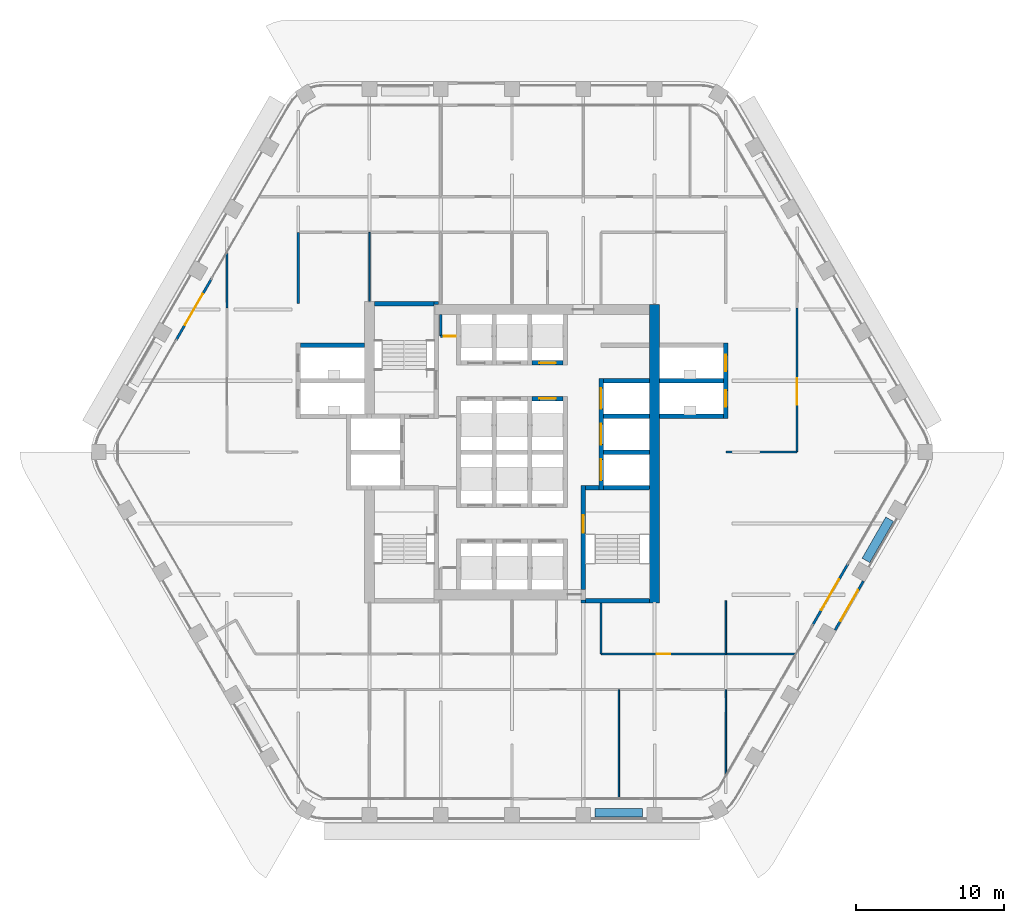
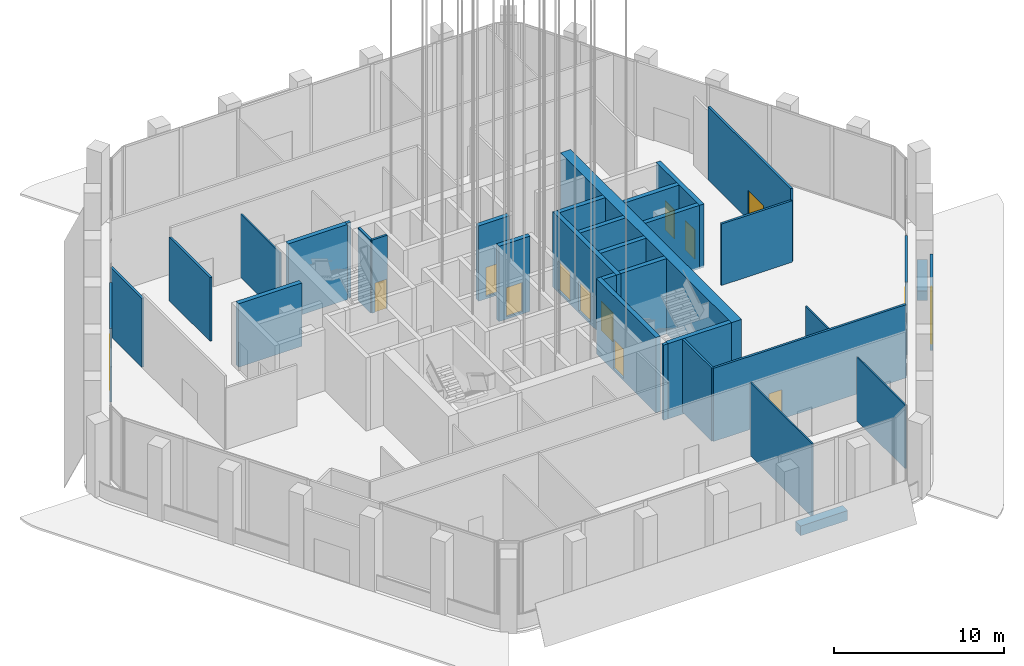
# One storey, part 10 of 42: 35 walls, 14 doors, 14 openings.
"""IFC4 building model written with IfcOpenShell, lengths in metres."""

from ifc_helpers import new_model, si_unit, direction, frame, frame_2d, origin, place, context, subcontext, project, spatial, rectangle, extrude, material, layer, layer_set, type_object, element, fill, save


model = new_model("IFC4")

# Units and contexts
model_context = context("Model", 3, precision=1e-05, world=origin(), true_north=direction((0.0, 1.0)))
body_context = subcontext(model_context, "Body", "Model", "MODEL_VIEW")
ifc_project = project(units=[si_unit("LENGTHUNIT", "METRE"), si_unit("AREAUNIT", "SQUARE_METRE"), si_unit("VOLUMEUNIT", "CUBIC_METRE"), si_unit("PLANEANGLEUNIT", "RADIAN"), si_unit("MASSUNIT", "GRAM", prefix="KILO")], contexts=[model_context])

# Site, building, storey
site_placement = place(None, origin())
site = spatial("IfcSite", under=ifc_project, at=site_placement, CompositionType="ELEMENT")
building_placement = place(site_placement, origin())
building = spatial("IfcBuilding", under=site, at=building_placement, Name="Kolab Exchange Tower", CompositionType="ELEMENT")
storey_placement = place(building_placement, frame((0.0, 0.0, 133.39990234375)))
storey = spatial("IfcBuildingStorey", under=building, at=storey_placement, Name="L26", CompositionType="ELEMENT", Elevation=133.39990234375)

# Wall
ifc_material_1 = material(Name="Concrete C60/75", Category="concrete")
ifc_layer_1 = layer(ifc_material_1, 0.699951171875)
ifc_layer_set_1 = layer_set([ifc_layer_1], Name="Concrete C60/75")
wall_type_1 = type_object("IfcWallType", Name="CORE WALL 700 C60/75", PredefinedType="SHEAR", material=ifc_layer_set_1)
wall_1_placement = place(storey_placement, frame((9.60009765625, -10.14990234375, -0.14990234375), z_axis=(0.0, 0.0, 1.0), x_axis=(0.0, 1.0, 0.0)))
element("IfcWall", 1, at=wall_1_placement, inside=storey, type_object=wall_type_1, Name="wall/L26/core/065", PredefinedType="SHEAR", context=body_context, shape_type="SweptSolid", body=[
    extrude(rectangle(XDim=20.099853515625, YDim=0.699951171875, at=frame_2d((10.0498046875, 0.0))), origin(), (0.0, 0.0, 1.0), 5.39990234375),
])

# Wall, opening, door
ifc_material_2 = material(Name="Aluminium EN AW-6063 T6", Category="aluminium")
ifc_layer_2 = layer(ifc_material_2, 0.159912109375)
ifc_layer_set_2 = layer_set([ifc_layer_2], Name="Aluminium EN AW-6063 T6")
wall_type_2 = type_object("IfcWallType", Name="DOOR SURROUND WALL 160 ALUMINIUM FRAMED", PredefinedType="PARTITIONING", material=ifc_layer_set_2)
wall_2_placement = place(storey_placement, frame((22.61669921875, -7.5498046875, 0.0), z_axis=(0.0, 0.0, 1.0), x_axis=(-0.5000167099, -0.866015756104, 0.0)))
wall_2 = element("IfcWall", 2, at=wall_2_placement, inside=storey, type_object=wall_type_2, Name="Door surround wall", PredefinedType="PARTITIONING", context=body_context, shape_type="SweptSolid", body=[
    extrude(rectangle(XDim=4.739990234375, YDim=0.159912109375, at=frame_2d((2.3701171875, 0.0))), origin(), (0.0, 0.0, 1.0), 5.25),
])
opening_1_placement = place(wall_2_placement, frame((1.169921875, 0.0, 0.0)))
opening_1 = element("IfcOpeningElement", 3, at=opening_1_placement, cuts=wall_2, Name="Opening GD1-057", PredefinedType="OPENING", context=body_context, shape_type="SweptSolid", body=[
    extrude(rectangle(XDim=2.39990234375, YDim=2.39990234375, at=frame_2d((1.199951171875, 1.199951171875))), frame((0.0, 0.08984375, 0.0), z_axis=(0.0, -1.0, 0.0), x_axis=(1.0, 0.0, 0.0)), (0.0, 0.0, 1.0), 0.179931640625),
])
door_type_1 = type_object("IfcDoorType", Name="LOGGIA SLIDING GLASS DOOR 2400 X 2400", OperationType="DOUBLE_DOOR_SINGLE_SWING", PredefinedType="DOOR", material=ifc_material_2)
door_1_placement = place(opening_1_placement, origin())
door_1 = element("IfcDoor", 4, at=door_1_placement, inside=storey, type_object=door_type_1, Name="Loggia door", OperationType="DOUBLE_DOOR_SLIDING", OverallHeight=2.39990234375, OverallWidth=2.39990234375, PredefinedType="DOOR", context=body_context, shape_type="SweptSolid", body=[
    extrude(rectangle(XDim=2.39990234375, YDim=2.39990234375, at=frame_2d((1.199951171875, 1.199951171875))), frame((0.0, 0.02490234375, 0.0), z_axis=(0.0, -1.0, 0.0), x_axis=(1.0, 0.0, 0.0)), (0.0, 0.0, 1.0), 0.050048828125),
])
fill(opening_1, door_1)

wall_3_placement = place(storey_placement, frame((-22.61669921875, 7.5498046875, 0.0), z_axis=(0.0, 0.0, 1.0), x_axis=(0.5000167099, 0.866015756104, 0.0)))
wall_3 = element("IfcWall", 5, at=wall_3_placement, inside=storey, type_object=wall_type_2, Name="Door surround wall", PredefinedType="PARTITIONING", context=body_context, shape_type="SweptSolid", body=[
    extrude(rectangle(XDim=4.739990234375, YDim=0.159912109375, at=frame_2d((2.3701171875, 0.0))), origin(), (0.0, 0.0, 1.0), 5.25),
])
opening_2_placement = place(wall_3_placement, frame((1.169921875, 0.0, 0.0)))
opening_2 = element("IfcOpeningElement", 6, at=opening_2_placement, cuts=wall_3, Name="Opening GD1-060", PredefinedType="OPENING", context=body_context, shape_type="SweptSolid", body=[
    extrude(rectangle(XDim=2.39990234375, YDim=2.39990234375, at=frame_2d((1.199951171875, 1.199951171875))), frame((0.0, 0.08984375, 0.0), z_axis=(0.0, -1.0, 0.0), x_axis=(1.0, 0.0, 0.0)), (0.0, 0.0, 1.0), 0.179931640625),
])
door_2_placement = place(opening_2_placement, origin())
door_2 = element("IfcDoor", 7, at=door_2_placement, inside=storey, type_object=door_type_1, Name="Loggia door", OperationType="DOUBLE_DOOR_SLIDING", OverallHeight=2.39990234375, OverallWidth=2.39990234375, PredefinedType="DOOR", context=body_context, shape_type="SweptSolid", body=[
    extrude(rectangle(XDim=2.39990234375, YDim=2.39990234375, at=frame_2d((1.199951171875, 1.199951171875))), frame((0.0, 0.02490234375, 0.0), z_axis=(0.0, -1.0, 0.0), x_axis=(1.0, 0.0, 0.0)), (0.0, 0.0, 1.0), 0.050048828125),
])
fill(opening_2, door_2)

wall_4_placement = place(storey_placement, frame((23.662353515625, -8.698486328125, 0.0), z_axis=(0.0, 0.0, 1.0), x_axis=(-0.499971120268, -0.866042076863, 0.0)))
wall_4 = element("IfcWall", 8, at=wall_4_placement, inside=storey, type_object=wall_type_2, Name="Door surround wall", PredefinedType="PARTITIONING", context=body_context, shape_type="SweptSolid", body=[
    extrude(rectangle(XDim=3.796142578125, YDim=0.159912109375, at=frame_2d((1.89794921875, 0.0))), origin(), (0.0, 0.0, 1.0), 4.25),
])
opening_3_placement = place(wall_4_placement, frame((0.697998046875, 0.0, 0.0)))
opening_3 = element("IfcOpeningElement", 9, at=opening_3_placement, cuts=wall_4, Name="Opening GD1-062", PredefinedType="OPENING", context=body_context, shape_type="SweptSolid", body=[
    extrude(rectangle(XDim=2.39990234375, YDim=2.39990234375, at=frame_2d((1.199951171875, 1.199951171875))), frame((0.0, 0.08984375, 0.0), z_axis=(0.0, -1.0, 0.0), x_axis=(1.0, 0.0, 0.0)), (0.0, 0.0, 1.0), 0.179931640625),
])
door_3_placement = place(opening_3_placement, origin())
door_3 = element("IfcDoor", 10, at=door_3_placement, inside=storey, type_object=door_type_1, Name="Terrace door", OperationType="DOUBLE_DOOR_SLIDING", OverallHeight=2.39990234375, OverallWidth=2.39990234375, PredefinedType="DOOR", context=body_context, shape_type="SweptSolid", body=[
    extrude(rectangle(XDim=2.39990234375, YDim=2.39990234375, at=frame_2d((1.199951171875, 1.199951171875))), frame((0.0, 0.02490234375, 0.0), z_axis=(0.0, -1.0, 0.0), x_axis=(1.0, 0.0, 0.0)), (0.0, 0.0, 1.0), 0.050048828125),
])
fill(opening_3, door_3)

# Walls
ifc_material_3 = material(Name="Concrete C50/60", Category="concrete")
ifc_layer_3 = layer(ifc_material_3, 0.300048828125)
ifc_layer_set_3 = layer_set([ifc_layer_3], Name="Concrete C50/60")
wall_type_3 = type_object("IfcWallType", Name="LIFT SHAFT WALL 300 C50/60", PredefinedType="STANDARD", material=ifc_layer_set_3)
for number, where, z_axis, x_axis, name in (
    (11, (6.14990234375, 0.0, -0.14990234375), (0.0, 0.0, 1.0), (1.0, 0.0, 0.0), "wall/L26/core/018"),
    (12, (6.14990234375, 2.39990234375, -0.14990234375), (0.0, 0.0, 1.0), (1.0, 0.0, 0.0), "wall/L26/core/023"),
):
    element("IfcWall", number, at=place(storey_placement, frame(where, z_axis=z_axis, x_axis=x_axis)), inside=storey, type_object=wall_type_3, Name=name, PredefinedType="STANDARD", context=body_context, shape_type="SweptSolid", body=[
        extrude(rectangle(XDim=3.10009765625, YDim=0.300048828125, at=frame_2d((1.550048828125, 0.0))), origin(), (0.0, 0.0, 1.0), 5.39990234375),
    ])
wall_5_placement = place(storey_placement, frame((9.949951171875, 2.39990234375, -0.14990234375), z_axis=(0.0, 0.0, 1.0), x_axis=(1.0, 0.0, 0.0)))
element("IfcWall", 13, at=wall_5_placement, inside=storey, type_object=wall_type_3, Name="wall/L26/core/024", PredefinedType="STANDARD", context=body_context, shape_type="SweptSolid", body=[
    extrude(rectangle(XDim=4.300048828125, YDim=0.300048828125, at=frame_2d((2.14990234375, 0.0))), origin(), (0.0, 0.0, 1.0), 4.550048828125),
])

# Wall, opening, door
wall_6_placement = place(storey_placement, frame((1.35009765625, 3.60009765625, -0.14990234375), z_axis=(0.0, 0.0, 1.0), x_axis=(1.0, 0.0, 0.0)))
wall_6 = element("IfcWall", 14, at=wall_6_placement, inside=storey, type_object=wall_type_3, Name="wall/L26/core/027", PredefinedType="STANDARD", context=body_context, shape_type="SweptSolid", body=[
    extrude(rectangle(XDim=2.099853515625, YDim=0.300048828125, at=frame_2d((1.0498046875, 0.0))), origin(), (0.0, 0.0, 1.0), 5.39990234375),
])
opening_4_placement = place(wall_6_placement, frame((0.5, 0.0, 0.14990234375)))
opening_4 = element("IfcOpeningElement", 15, at=opening_4_placement, cuts=wall_6, Name="Opening LD1-101", PredefinedType="OPENING", context=body_context, shape_type="SweptSolid", body=[
    extrude(rectangle(XDim=1.10009765625, YDim=2.10009765625, at=frame_2d((0.550048828125, 1.050048828125))), frame((0.0, 0.16015625, 0.0), z_axis=(0.0, -1.0, 0.0), x_axis=(1.0, 0.0, 0.0)), (0.0, 0.0, 1.0), 0.320068359375),
])
ifc_material_4 = material(Name="Stainless steel 316", Category="steel")
door_type_2 = type_object("IfcDoorType", Name="LANDING DOOR 1100 PASSENGER", OperationType="DOUBLE_DOOR_SLIDING", PredefinedType="DOOR", material=ifc_material_4)
door_4_placement = place(opening_4_placement, origin())
door_4 = element("IfcDoor", 16, at=door_4_placement, inside=storey, type_object=door_type_2, Name="Landing door HR6", OperationType="DOUBLE_DOOR_SLIDING", OverallHeight=2.10009765625, OverallWidth=1.10009765625, PredefinedType="DOOR", context=body_context, shape_type="SweptSolid", body=[
    extrude(rectangle(XDim=1.10009765625, YDim=2.10009765625, at=frame_2d((0.550048828125, 1.050048828125))), frame((0.0, 0.02490234375, 0.0), z_axis=(0.0, -1.0, 0.0), x_axis=(1.0, 0.0, 0.0)), (0.0, 0.0, 1.0), 0.050048828125),
])
fill(opening_4, door_4)

# Walls
wall_7_placement = place(storey_placement, frame((6.14990234375, 4.800048828125, -0.14990234375), z_axis=(0.0, 0.0, 1.0), x_axis=(1.0, 0.0, 0.0)))
element("IfcWall", 17, at=wall_7_placement, inside=storey, type_object=wall_type_3, Name="wall/L26/core/029", PredefinedType="STANDARD", context=body_context, shape_type="SweptSolid", body=[
    extrude(rectangle(XDim=3.10009765625, YDim=0.300048828125, at=frame_2d((1.550048828125, 0.0))), origin(), (0.0, 0.0, 1.0), 5.39990234375),
])
wall_8_placement = place(storey_placement, frame((9.949951171875, 4.800048828125, -0.14990234375), z_axis=(0.0, 0.0, 1.0), x_axis=(1.0, 0.0, 0.0)))
element("IfcWall", 18, at=wall_8_placement, inside=storey, type_object=wall_type_3, Name="wall/L26/core/030", PredefinedType="STANDARD", context=body_context, shape_type="SweptSolid", body=[
    extrude(rectangle(XDim=4.300048828125, YDim=0.300048828125, at=frame_2d((2.14990234375, 0.0))), origin(), (0.0, 0.0, 1.0), 4.550048828125),
])

# Wall, opening, door
wall_9_placement = place(storey_placement, frame((1.35009765625, 6.0, -0.14990234375), z_axis=(0.0, 0.0, 1.0), x_axis=(1.0, 0.0, 0.0)))
wall_9 = element("IfcWall", 19, at=wall_9_placement, inside=storey, type_object=wall_type_3, Name="wall/L26/core/033", PredefinedType="STANDARD", context=body_context, shape_type="SweptSolid", body=[
    extrude(rectangle(XDim=2.099853515625, YDim=0.300048828125, at=frame_2d((1.0498046875, 0.0))), origin(), (0.0, 0.0, 1.0), 5.39990234375),
])
opening_5_placement = place(wall_9_placement, frame((0.5, 0.0, 0.14990234375)))
opening_5 = element("IfcOpeningElement", 20, at=opening_5_placement, cuts=wall_9, Name="Opening LD1-098", PredefinedType="OPENING", context=body_context, shape_type="SweptSolid", body=[
    extrude(rectangle(XDim=1.10009765625, YDim=2.10009765625, at=frame_2d((0.550048828125, 1.050048828125))), frame((0.0, 0.16015625, 0.0), z_axis=(0.0, -1.0, 0.0), x_axis=(1.0, 0.0, 0.0)), (0.0, 0.0, 1.0), 0.320068359375),
])
door_5_placement = place(opening_5_placement, origin())
door_5 = element("IfcDoor", 21, at=door_5_placement, inside=storey, type_object=door_type_2, Name="Landing door HR3", OperationType="DOUBLE_DOOR_SLIDING", OverallHeight=2.10009765625, OverallWidth=1.10009765625, PredefinedType="DOOR", context=body_context, shape_type="SweptSolid", body=[
    extrude(rectangle(XDim=1.10009765625, YDim=2.10009765625, at=frame_2d((0.550048828125, 1.050048828125))), frame((0.0, 0.02490234375, 0.0), z_axis=(0.0, -1.0, 0.0), x_axis=(1.0, 0.0, 0.0)), (0.0, 0.0, 1.0), 0.050048828125),
])
fill(opening_5, door_5)

# Wall
wall_10_placement = place(storey_placement, frame((-14.25, 7.199951171875, -0.14990234375), z_axis=(0.0, 0.0, 1.0), x_axis=(1.0, 0.0, 0.0)))
element("IfcWall", 22, at=wall_10_placement, inside=storey, type_object=wall_type_3, Name="wall/L26/core/034", PredefinedType="STANDARD", context=body_context, shape_type="SweptSolid", body=[
    extrude(rectangle(XDim=4.300048828125, YDim=0.300048828125, at=frame_2d((2.14990234375, 0.0))), origin(), (0.0, 0.0, 1.0), 4.550048828125),
])

# Wall, openings, doors
wall_11_placement = place(storey_placement, frame((6.0, -2.550048828125, -0.14990234375), z_axis=(0.0, 0.0, 1.0), x_axis=(0.0, 1.0, 0.0)))
wall_11 = element("IfcWall", 23, at=wall_11_placement, inside=storey, type_object=wall_type_3, Name="wall/L26/core/064", PredefinedType="STANDARD", context=body_context, shape_type="SweptSolid", body=[
    extrude(rectangle(XDim=7.5, YDim=0.300048828125, at=frame_2d((3.75, 0.0))), origin(), (0.0, 0.0, 1.0), 5.39990234375),
])
opening_6_placement = place(wall_11_placement, frame((0.64990234375, 0.0, 0.14990234375)))
opening_6 = element("IfcOpeningElement", 24, at=opening_6_placement, cuts=wall_11, Name="Opening LD3-034", PredefinedType="OPENING", context=body_context, shape_type="SweptSolid", body=[
    extrude(rectangle(XDim=1.39990234375, YDim=2.10009765625, at=frame_2d((0.699951171875, 1.050048828125))), frame((0.0, 0.16015625, 0.0), z_axis=(0.0, -1.0, 0.0), x_axis=(1.0, 0.0, 0.0)), (0.0, 0.0, 1.0), 0.320068359375),
])
opening_7_placement = place(wall_11_placement, frame((3.050048828125, 0.0, 0.14990234375)))
opening_7 = element("IfcOpeningElement", 25, at=opening_7_placement, cuts=wall_11, Name="Opening LD3-035", PredefinedType="OPENING", context=body_context, shape_type="SweptSolid", body=[
    extrude(rectangle(XDim=1.39990234375, YDim=2.10009765625, at=frame_2d((0.699951171875, 1.050048828125))), frame((0.0, 0.16015625, 0.0), z_axis=(0.0, -1.0, 0.0), x_axis=(1.0, 0.0, 0.0)), (0.0, 0.0, 1.0), 0.320068359375),
])
opening_8_placement = place(wall_11_placement, frame((5.449951171875, 0.0, 0.14990234375)))
opening_8 = element("IfcOpeningElement", 26, at=opening_8_placement, cuts=wall_11, Name="Opening LD3-036", PredefinedType="OPENING", context=body_context, shape_type="SweptSolid", body=[
    extrude(rectangle(XDim=1.39990234375, YDim=2.10009765625, at=frame_2d((0.699951171875, 1.050048828125))), frame((0.0, 0.16015625, 0.0), z_axis=(0.0, -1.0, 0.0), x_axis=(1.0, 0.0, 0.0)), (0.0, 0.0, 1.0), 0.320068359375),
])
door_type_3 = type_object("IfcDoorType", Name="LANDING DOOR 1400 SERVICE", OperationType="DOUBLE_DOOR_SLIDING", PredefinedType="DOOR", material=ifc_material_4)
door_6_placement = place(opening_6_placement, origin())
door_6 = element("IfcDoor", 27, at=door_6_placement, inside=storey, type_object=door_type_3, Name="Landing door SV1", OperationType="DOUBLE_DOOR_SLIDING", OverallHeight=2.10009765625, OverallWidth=1.39990234375, PredefinedType="DOOR", context=body_context, shape_type="SweptSolid", body=[
    extrude(rectangle(XDim=1.39990234375, YDim=2.10009765625, at=frame_2d((0.699951171875, 1.050048828125))), frame((0.0, 0.02490234375, 0.0), z_axis=(0.0, -1.0, 0.0), x_axis=(1.0, 0.0, 0.0)), (0.0, 0.0, 1.0), 0.050048828125),
])
fill(opening_6, door_6)
door_7_placement = place(opening_7_placement, origin())
door_7 = element("IfcDoor", 28, at=door_7_placement, inside=storey, type_object=door_type_3, Name="Landing door SV2", OperationType="DOUBLE_DOOR_SLIDING", OverallHeight=2.10009765625, OverallWidth=1.39990234375, PredefinedType="DOOR", context=body_context, shape_type="SweptSolid", body=[
    extrude(rectangle(XDim=1.39990234375, YDim=2.10009765625, at=frame_2d((0.699951171875, 1.050048828125))), frame((0.0, 0.02490234375, 0.0), z_axis=(0.0, -1.0, 0.0), x_axis=(1.0, 0.0, 0.0)), (0.0, 0.0, 1.0), 0.050048828125),
])
fill(opening_7, door_7)
door_8_placement = place(opening_8_placement, origin())
door_8 = element("IfcDoor", 29, at=door_8_placement, inside=storey, type_object=door_type_3, Name="Landing door SV3", OperationType="DOUBLE_DOOR_SLIDING", OverallHeight=2.10009765625, OverallWidth=1.39990234375, PredefinedType="DOOR", context=body_context, shape_type="SweptSolid", body=[
    extrude(rectangle(XDim=1.39990234375, YDim=2.10009765625, at=frame_2d((0.699951171875, 1.050048828125))), frame((0.0, 0.02490234375, 0.0), z_axis=(0.0, -1.0, 0.0), x_axis=(1.0, 0.0, 0.0)), (0.0, 0.0, 1.0), 0.050048828125),
])
fill(opening_8, door_8)

wall_12_placement = place(storey_placement, frame((14.39990234375, 2.25, -0.14990234375), z_axis=(0.0, 0.0, 1.0), x_axis=(0.0, 1.0, 0.0)))
wall_12 = element("IfcWall", 30, at=wall_12_placement, inside=storey, type_object=wall_type_3, Name="wall/L26/core/066", PredefinedType="STANDARD", context=body_context, shape_type="SweptSolid", body=[
    extrude(rectangle(XDim=5.10009765625, YDim=0.300048828125, at=frame_2d((2.550048828125, 0.0))), origin(), (0.0, 0.0, 1.0), 4.550048828125),
])
opening_9_placement = place(wall_12_placement, frame((0.800048828125, 0.0, 0.14990234375)))
opening_9 = element("IfcOpeningElement", 31, at=opening_9_placement, cuts=wall_12, Name="Opening LD1-105", PredefinedType="OPENING", context=body_context, shape_type="SweptSolid", body=[
    extrude(rectangle(XDim=1.10009765625, YDim=2.10009765625, at=frame_2d((0.550048828125, 1.050048828125))), frame((0.0, 0.16015625, 0.0), z_axis=(0.0, -1.0, 0.0), x_axis=(1.0, 0.0, 0.0)), (0.0, 0.0, 1.0), 0.320068359375),
])
opening_10_placement = place(wall_12_placement, frame((3.199951171875, 0.0, 0.14990234375)))
opening_10 = element("IfcOpeningElement", 32, at=opening_10_placement, cuts=wall_12, Name="Opening LD1-106", PredefinedType="OPENING", context=body_context, shape_type="SweptSolid", body=[
    extrude(rectangle(XDim=1.10009765625, YDim=2.10009765625, at=frame_2d((0.550048828125, 1.050048828125))), frame((0.0, 0.16015625, 0.0), z_axis=(0.0, -1.0, 0.0), x_axis=(1.0, 0.0, 0.0)), (0.0, 0.0, 1.0), 0.320068359375),
])
door_9_placement = place(opening_9_placement, origin())
door_9 = element("IfcDoor", 33, at=door_9_placement, inside=storey, type_object=door_type_2, Name="Landing door SH1", OperationType="DOUBLE_DOOR_SLIDING", OverallHeight=2.10009765625, OverallWidth=1.10009765625, PredefinedType="DOOR", context=body_context, shape_type="SweptSolid", body=[
    extrude(rectangle(XDim=1.10009765625, YDim=2.10009765625, at=frame_2d((0.550048828125, 1.050048828125))), frame((0.0, 0.02490234375, 0.0), z_axis=(0.0, -1.0, 0.0), x_axis=(1.0, 0.0, 0.0)), (0.0, 0.0, 1.0), 0.050048828125),
])
fill(opening_9, door_9)
door_10_placement = place(opening_10_placement, origin())
door_10 = element("IfcDoor", 34, at=door_10_placement, inside=storey, type_object=door_type_2, Name="Landing door SH2", OperationType="DOUBLE_DOOR_SLIDING", OverallHeight=2.10009765625, OverallWidth=1.10009765625, PredefinedType="DOOR", context=body_context, shape_type="SweptSolid", body=[
    extrude(rectangle(XDim=1.10009765625, YDim=2.10009765625, at=frame_2d((0.550048828125, 1.050048828125))), frame((0.0, 0.02490234375, 0.0), z_axis=(0.0, -1.0, 0.0), x_axis=(1.0, 0.0, 0.0)), (0.0, 0.0, 1.0), 0.050048828125),
])
fill(opening_10, door_10)

# Walls
ifc_material_5 = material(Name="Gypsum board", Category="gypsum")
ifc_layer_4 = layer(ifc_material_5, 0.10009765625)
ifc_layer_set_4 = layer_set([ifc_layer_4], Name="Gypsum board")
wall_type_4 = type_object("IfcWallType", Name="PARTITION 100", PredefinedType="PARTITIONING", material=ifc_layer_set_4)
wall_13_placement = place(storey_placement, frame((14.39990234375, -21.701416015625, 0.0), z_axis=(0.0, 0.0, 1.0), x_axis=(0.0, 1.0, 0.0)))
element("IfcWall", 35, at=wall_13_placement, inside=storey, type_object=wall_type_4, Name="Partition 001", PredefinedType="PARTITIONING", context=body_context, shape_type="SweptSolid", body=[
    extrude(rectangle(XDim=5.701416015625, YDim=0.10009765625, at=frame_2d((2.8505859375, 0.0))), origin(), (0.0, 0.0, 1.0), 4.566162109375),
])
wall_14_placement = place(storey_placement, frame((14.39990234375, -13.60009765625, 0.0), z_axis=(0.0, 0.0, 1.0), x_axis=(0.0, 1.0, 0.0)))
element("IfcWall", 36, at=wall_14_placement, inside=storey, type_object=wall_type_4, Name="Partition 002", PredefinedType="PARTITIONING", context=body_context, shape_type="SweptSolid", body=[
    extrude(rectangle(XDim=3.60009765625, YDim=0.10009765625, at=frame_2d((1.800048828125, 0.0))), origin(), (0.0, 0.0, 1.0), 4.566162109375),
])
wall_15_placement = place(storey_placement, frame((7.199951171875, -23.271484375, 0.0), z_axis=(0.0, 0.0, 1.0), x_axis=(0.0, 1.0, 0.0)))
element("IfcWall", 37, at=wall_15_placement, inside=storey, type_object=wall_type_4, Name="Partition 005", PredefinedType="PARTITIONING", context=body_context, shape_type="SweptSolid", body=[
    extrude(rectangle(XDim=7.271484375, YDim=0.10009765625, at=frame_2d((3.6357421875, 0.0))), origin(), (0.0, 0.0, 1.0), 5.25),
])
wall_16_placement = place(storey_placement, frame((-9.60009765625, 10.14990234375, 0.0), z_axis=(0.0, 0.0, 1.0), x_axis=(0.0, 1.0, 0.0)))
element("IfcWall", 38, at=wall_16_placement, inside=storey, type_object=wall_type_4, Name="Partition 021", PredefinedType="PARTITIONING", context=body_context, shape_type="SweptSolid", body=[
    extrude(rectangle(XDim=4.650146484375, YDim=0.10009765625, at=frame_2d((2.3251953125, 0.0))), origin(), (0.0, 0.0, 1.0), 4.566162109375),
])

# Wall, opening, door
ifc_layer_5 = layer(ifc_material_5, 0.14990234375)
ifc_layer_set_5 = layer_set([ifc_layer_5], Name="Gypsum board")
wall_type_5 = type_object("IfcWallType", Name="PARTITION 150 FIRE-RATED", PredefinedType="PARTITIONING", material=ifc_layer_set_5)
wall_17_placement = place(storey_placement, frame((19.199951171875, 0.0, 0.0), z_axis=(0.0, 0.0, 1.0), x_axis=(0.0, 1.0, 0.0)))
wall_17 = element("IfcWall", 39, at=wall_17_placement, inside=storey, type_object=wall_type_5, Name="Partition 000", PredefinedType="PARTITIONING", context=body_context, shape_type="SweptSolid", body=[
    extrude(rectangle(XDim=9.693603515625, YDim=0.14990234375, at=frame_2d((4.8466796875, 0.0))), origin(), (0.0, 0.0, 1.0), 5.25),
])
opening_11_placement = place(wall_17_placement, frame((3.181884765625, 0.0, 0.0)))
opening_11 = element("IfcOpeningElement", 40, at=opening_11_placement, cuts=wall_17, Name="Opening D2-037", PredefinedType="OPENING", context=body_context, shape_type="SweptSolid", body=[
    extrude(rectangle(XDim=1.800048828125, YDim=2.10009765625, at=frame_2d((0.89990234375, 1.050048828125))), frame((0.0, 0.0849609375, 0.0), z_axis=(0.0, -1.0, 0.0), x_axis=(1.0, 0.0, 0.0)), (0.0, 0.0, 1.0), 0.169921875),
])
ifc_material_6 = material(Name="Steel S235", Category="steel")
door_type_4 = type_object("IfcDoorType", Name="DOUBLE DOOR 1800 FD60", OperationType="DOUBLE_DOOR_SINGLE_SWING", PredefinedType="DOOR", material=ifc_material_6)
door_11_placement = place(opening_11_placement, frame((1.800048828125, 0.0, 0.0), z_axis=(0.0, 0.0, 1.0), x_axis=(-1.0, 0.0, 0.0)))
door_11 = element("IfcDoor", 41, at=door_11_placement, inside=storey, type_object=door_type_4, Name="Door L26-056", OperationType="SINGLE_SWING_RIGHT", OverallHeight=2.10009765625, OverallWidth=1.800048828125, PredefinedType="DOOR", context=body_context, shape_type="SweptSolid", body=[
    extrude(rectangle(XDim=1.800048828125, YDim=2.10009765625, at=frame_2d((0.89990234375, 1.050048828125))), frame((0.0, 0.02490234375, 0.0), z_axis=(0.0, -1.0, 0.0), x_axis=(1.0, 0.0, 0.0)), (0.0, 0.0, 1.0), 0.050048828125),
])
fill(opening_11, door_11)

# Walls
wall_18_placement = place(storey_placement, frame((6.0, -13.60009765625, 0.0), z_axis=(0.0, 0.0, 1.0), x_axis=(0.0, 1.0, 0.0)))
element("IfcWall", 42, at=wall_18_placement, inside=storey, type_object=wall_type_5, Name="Partition 006", PredefinedType="PARTITIONING", context=body_context, shape_type="SweptSolid", body=[
    extrude(rectangle(XDim=3.4501953125, YDim=0.14990234375, at=frame_2d((1.72509765625, 0.0))), origin(), (0.0, 0.0, 1.0), 5.25),
])
wall_19_placement = place(storey_placement, frame((-4.800048828125, 7.800048828125, 0.0), z_axis=(0.0, 0.0, 1.0), x_axis=(0.0, 1.0, 0.0)))
element("IfcWall", 43, at=wall_19_placement, inside=storey, type_object=wall_type_5, Name="Partition 017", PredefinedType="PARTITIONING", context=body_context, shape_type="SweptSolid", body=[
    extrude(rectangle(XDim=1.449951171875, YDim=0.14990234375, at=frame_2d((0.72509765625, 0.0))), origin(), (0.0, 0.0, 1.0), 5.25),
])
wall_20_placement = place(storey_placement, frame((-14.39990234375, 10.0, 0.0), z_axis=(0.0, 0.0, 1.0), x_axis=(0.0, 1.0, 0.0)))
element("IfcWall", 44, at=wall_20_placement, inside=storey, type_object=wall_type_5, Name="Partition 023", PredefinedType="PARTITIONING", context=body_context, shape_type="SweptSolid", body=[
    extrude(rectangle(XDim=4.800048828125, YDim=0.14990234375, at=frame_2d((2.39990234375, 0.0))), origin(), (0.0, 0.0, 1.0), 4.566162109375),
])
wall_21_placement = place(storey_placement, frame((-19.199951171875, 9.693603515625, 0.0), z_axis=(0.0, 0.0, 1.0), x_axis=(0.0, 1.0, 0.0)))
element("IfcWall", 45, at=wall_21_placement, inside=storey, type_object=wall_type_5, Name="Partition 024", PredefinedType="PARTITIONING", context=body_context, shape_type="SweptSolid", body=[
    extrude(rectangle(XDim=3.694091796875, YDim=0.14990234375, at=frame_2d((1.84716796875, 0.0))), origin(), (0.0, 0.0, 1.0), 4.940185546875),
])

# Wall, opening, door
wall_22_placement = place(storey_placement, frame((6.0, -13.60009765625, 0.0), z_axis=(0.0, 0.0, 1.0), x_axis=(1.0, 0.0, 0.0)))
wall_22 = element("IfcWall", 46, at=wall_22_placement, inside=storey, type_object=wall_type_5, Name="Partition 029", PredefinedType="PARTITIONING", context=body_context, shape_type="SweptSolid", body=[
    extrude(rectangle(XDim=13.077392578125, YDim=0.14990234375, at=frame_2d((6.53857421875, 0.0))), origin(), (0.0, 0.0, 1.0), 5.25),
])
opening_12_placement = place(wall_22_placement, frame((3.75, 0.0, 0.0)))
opening_12 = element("IfcOpeningElement", 47, at=opening_12_placement, cuts=wall_22, Name="Opening D3-035", PredefinedType="OPENING", context=body_context, shape_type="SweptSolid", body=[
    extrude(rectangle(XDim=0.89990234375, YDim=2.10009765625, at=frame_2d((0.449951171875, 1.050048828125))), frame((0.0, 0.0849609375, 0.0), z_axis=(0.0, -1.0, 0.0), x_axis=(1.0, 0.0, 0.0)), (0.0, 0.0, 1.0), 0.169921875),
])
door_type_5 = type_object("IfcDoorType", Name="FLUSH DOOR 900 FD60", OperationType="SINGLE_SWING_LEFT", PredefinedType="DOOR", material=ifc_material_6)
door_12_placement = place(opening_12_placement, origin())
door_12 = element("IfcDoor", 48, at=door_12_placement, inside=storey, type_object=door_type_5, Name="Door L26-042", OperationType="SINGLE_SWING_LEFT", OverallHeight=2.10009765625, OverallWidth=0.89990234375, PredefinedType="DOOR", context=body_context, shape_type="SweptSolid", body=[
    extrude(rectangle(XDim=0.89990234375, YDim=2.10009765625, at=frame_2d((0.449951171875, 1.050048828125))), frame((0.0, 0.02490234375, 0.0), z_axis=(0.0, -1.0, 0.0), x_axis=(1.0, 0.0, 0.0)), (0.0, 0.0, 1.0), 0.050048828125),
])
fill(opening_12, door_12)

# Wall
wall_23_placement = place(storey_placement, frame((14.39990234375, 0.0, 0.0), z_axis=(0.0, 0.0, 1.0), x_axis=(1.0, 0.0, 0.0)))
element("IfcWall", 49, at=wall_23_placement, inside=storey, type_object=wall_type_5, Name="Partition 032", PredefinedType="PARTITIONING", context=body_context, shape_type="SweptSolid", body=[
    extrude(rectangle(XDim=4.800048828125, YDim=0.14990234375, at=frame_2d((2.39990234375, 0.0))), origin(), (0.0, 0.0, 1.0), 4.41015625),
])

# Wall, opening, door
wall_24_placement = place(storey_placement, frame((-4.800048828125, 7.800048828125, 0.0), z_axis=(0.0, 0.0, 1.0), x_axis=(1.0, 0.0, 0.0)))
wall_24 = element("IfcWall", 50, at=wall_24_placement, inside=storey, type_object=wall_type_5, Name="Partition 033", PredefinedType="PARTITIONING", context=body_context, shape_type="SweptSolid", body=[
    extrude(rectangle(XDim=1.050048828125, YDim=0.14990234375, at=frame_2d((0.52490234375, 0.0))), origin(), (0.0, 0.0, 1.0), 5.25),
])
opening_13_placement = place(wall_24_placement, frame((0.199951171875, 0.0, 0.0)))
opening_13 = element("IfcOpeningElement", 51, at=opening_13_placement, cuts=wall_24, Name="Opening D7-028", PredefinedType="OPENING", context=body_context, shape_type="SweptSolid", body=[
    extrude(rectangle(XDim=0.800048828125, YDim=2.10009765625, at=frame_2d((0.39990234375, 1.050048828125))), frame((0.0, 0.0849609375, 0.0), z_axis=(0.0, -1.0, 0.0), x_axis=(1.0, 0.0, 0.0)), (0.0, 0.0, 1.0), 0.169921875),
])
door_type_6 = type_object("IfcDoorType", Name="FLUSH DOOR 800 FD60", OperationType="SINGLE_SWING_LEFT", PredefinedType="DOOR", material=ifc_material_6)
door_13_placement = place(opening_13_placement, origin())
door_13 = element("IfcDoor", 52, at=door_13_placement, inside=storey, type_object=door_type_6, Name="Door L26-027", OperationType="SINGLE_SWING_RIGHT", OverallHeight=2.10009765625, OverallWidth=0.800048828125, PredefinedType="DOOR", context=body_context, shape_type="SweptSolid", body=[
    extrude(rectangle(XDim=0.800048828125, YDim=2.10009765625, at=frame_2d((0.39990234375, 1.050048828125))), frame((0.0, 0.02490234375, 0.0), z_axis=(0.0, -1.0, 0.0), x_axis=(1.0, 0.0, 0.0)), (0.0, 0.0, 1.0), 0.050048828125),
])
fill(opening_13, door_13)

# Walls
ifc_material_7 = material(Name="Granite facing", Category="masonry")
ifc_layer_6 = layer(ifc_material_7, 0.0400390625)
ifc_material_8 = material(Name="Concrete C40/50 precast", Category="concrete")
ifc_layer_7 = layer(ifc_material_8, 0.56005859375)
ifc_layer_set_6 = layer_set([ifc_layer_6, ifc_layer_7], Name="Concrete C40/50 precast")
wall_type_6 = type_object("IfcWallType", Name="PLANTER BOX 600 X 700 SOIL DEPTH 550", PredefinedType="USERDEFINED", material=ifc_layer_set_6)
wall_25_placement = place(storey_placement, frame((25.43701171875, -4.524658203125, 0.0), z_axis=(0.0, 0.0, 1.0), x_axis=(-0.499938187974, -0.866061088033, 0.0)))
element("IfcWall", 53, at=wall_25_placement, inside=storey, type_object=wall_type_6, Name="Planter", ObjectType="PLANTER", PredefinedType="USERDEFINED", context=body_context, shape_type="SweptSolid", body=[
    extrude(rectangle(XDim=3.2001953125, YDim=0.60009765625, at=frame_2d((1.60009765625, 0.0))), origin(), (0.0, 0.0, 1.0), 0.7001953125),
])
wall_26_placement = place(storey_placement, frame((8.800048828125, -24.29150390625, 0.0), z_axis=(0.0, 0.0, 1.0), x_axis=(-1.0, 0.0, 0.0)))
element("IfcWall", 54, at=wall_26_placement, inside=storey, type_object=wall_type_6, Name="Planter", ObjectType="PLANTER", PredefinedType="USERDEFINED", context=body_context, shape_type="SweptSolid", body=[
    extrude(rectangle(XDim=3.199951171875, YDim=0.60009765625, at=frame_2d((1.60009765625, 0.0))), origin(), (0.0, 0.0, 1.0), 0.7001953125),
])
ifc_layer_8 = layer(ifc_material_3, 0.300048828125)
ifc_layer_set_7 = layer_set([ifc_layer_8], Name="Concrete C50/60")
wall_type_7 = type_object("IfcWallType", Name="STAIR ENCLOSURE WALL 300 C50/60", PredefinedType="STANDARD", material=ifc_layer_set_7)
wall_27_placement = place(storey_placement, frame((4.949951171875, -10.0, -0.14990234375), z_axis=(0.0, 0.0, 1.0), x_axis=(1.0, 0.0, 0.0)))
element("IfcWall", 55, at=wall_27_placement, inside=storey, type_object=wall_type_7, Name="wall/L26/core/001", PredefinedType="STANDARD", context=body_context, shape_type="SweptSolid", body=[
    extrude(rectangle(XDim=4.300048828125, YDim=0.300048828125, at=frame_2d((2.14990234375, 0.0))), origin(), (0.0, 0.0, 1.0), 5.39990234375),
])
wall_28_placement = place(storey_placement, frame((4.949951171875, -2.39990234375, -0.14990234375), z_axis=(0.0, 0.0, 1.0), x_axis=(1.0, 0.0, 0.0)))
element("IfcWall", 56, at=wall_28_placement, inside=storey, type_object=wall_type_7, Name="wall/L26/core/012", PredefinedType="STANDARD", context=body_context, shape_type="SweptSolid", body=[
    extrude(rectangle(XDim=0.900146484375, YDim=0.300048828125, at=frame_2d((0.4501953125, 0.0))), origin(), (0.0, 0.0, 1.0), 5.39990234375),
])
wall_29_placement = place(storey_placement, frame((6.14990234375, -2.39990234375, -0.14990234375), z_axis=(0.0, 0.0, 1.0), x_axis=(1.0, 0.0, 0.0)))
element("IfcWall", 57, at=wall_29_placement, inside=storey, type_object=wall_type_7, Name="wall/L26/core/013", PredefinedType="STANDARD", context=body_context, shape_type="SweptSolid", body=[
    extrude(rectangle(XDim=3.10009765625, YDim=0.300048828125, at=frame_2d((1.550048828125, 0.0))), origin(), (0.0, 0.0, 1.0), 5.39990234375),
])
wall_30_placement = place(storey_placement, frame((-9.25, 10.0, -0.14990234375), z_axis=(0.0, 0.0, 1.0), x_axis=(1.0, 0.0, 0.0)))
element("IfcWall", 58, at=wall_30_placement, inside=storey, type_object=wall_type_7, Name="wall/L26/core/038", PredefinedType="STANDARD", context=body_context, shape_type="SweptSolid", body=[
    extrude(rectangle(XDim=4.0, YDim=0.300048828125, at=frame_2d((2.0, 0.0))), origin(), (0.0, 0.0, 1.0), 5.39990234375),
])
for number, where, z_axis, x_axis, name in (
    (59, (-5.10009765625, 9.949951171875, -0.14990234375), (0.0, 0.0, 1.0), (0.0, 1.0, 0.0), "wall/L26/core/049"),
    (60, (4.800048828125, -10.14990234375, -0.14990234375), (0.0, 0.0, 1.0), (0.0, 1.0, 0.0), "wall/L26/core/062"),
):
    element("IfcWall", number, at=place(storey_placement, frame(where, z_axis=z_axis, x_axis=x_axis)), inside=storey, type_object=wall_type_7, Name=name, PredefinedType="STANDARD", context=body_context, shape_type="SweptSolid", body=[
        extrude(rectangle(XDim=0.199951171875, YDim=0.300048828125, at=frame_2d((0.10009765625, 0.0))), origin(), (0.0, 0.0, 1.0), 5.39990234375),
    ])

# Wall, opening, door
wall_31_placement = place(storey_placement, frame((4.800048828125, -9.25, -0.14990234375), z_axis=(0.0, 0.0, 1.0), x_axis=(0.0, 1.0, 0.0)))
wall_31 = element("IfcWall", 61, at=wall_31_placement, inside=storey, type_object=wall_type_7, Name="wall/L26/core/063", PredefinedType="STANDARD", context=body_context, shape_type="SweptSolid", body=[
    extrude(rectangle(XDim=7.0, YDim=0.300048828125, at=frame_2d((3.5, 0.0))), origin(), (0.0, 0.0, 1.0), 5.39990234375),
])
opening_14_placement = place(wall_31_placement, frame((3.800048828125, 0.0, 0.14990234375)))
opening_14 = element("IfcOpeningElement", 62, at=opening_14_placement, cuts=wall_31, Name="Opening D4-063", PredefinedType="OPENING", context=body_context, shape_type="SweptSolid", body=[
    extrude(rectangle(XDim=1.199951171875, YDim=2.10009765625, at=frame_2d((0.60009765625, 1.050048828125))), frame((0.0, 0.16015625, 0.0), z_axis=(0.0, -1.0, 0.0), x_axis=(1.0, 0.0, 0.0)), (0.0, 0.0, 1.0), 0.320068359375),
])
door_type_7 = type_object("IfcDoorType", Name="STAIR DOOR 1200 EI 120", OperationType="SINGLE_SWING_LEFT", PredefinedType="DOOR", material=ifc_material_6)
door_14_placement = place(opening_14_placement, frame((1.199951171875, 0.0, 0.0), z_axis=(0.0, 0.0, 1.0), x_axis=(-1.0, 0.0, 0.0)))
door_14 = element("IfcDoor", 63, at=door_14_placement, inside=storey, type_object=door_type_7, Name="Stair 2 door", OperationType="SINGLE_SWING_RIGHT", OverallHeight=2.10009765625, OverallWidth=1.199951171875, PredefinedType="DOOR", context=body_context, shape_type="SweptSolid", body=[
    extrude(rectangle(XDim=1.199951171875, YDim=2.10009765625, at=frame_2d((0.60009765625, 1.050048828125))), frame((0.0, 0.02490234375, 0.0), z_axis=(0.0, -1.0, 0.0), x_axis=(1.0, 0.0, 0.0)), (0.0, 0.0, 1.0), 0.050048828125),
])
fill(opening_14, door_14)

save(model, "model.ifc")
